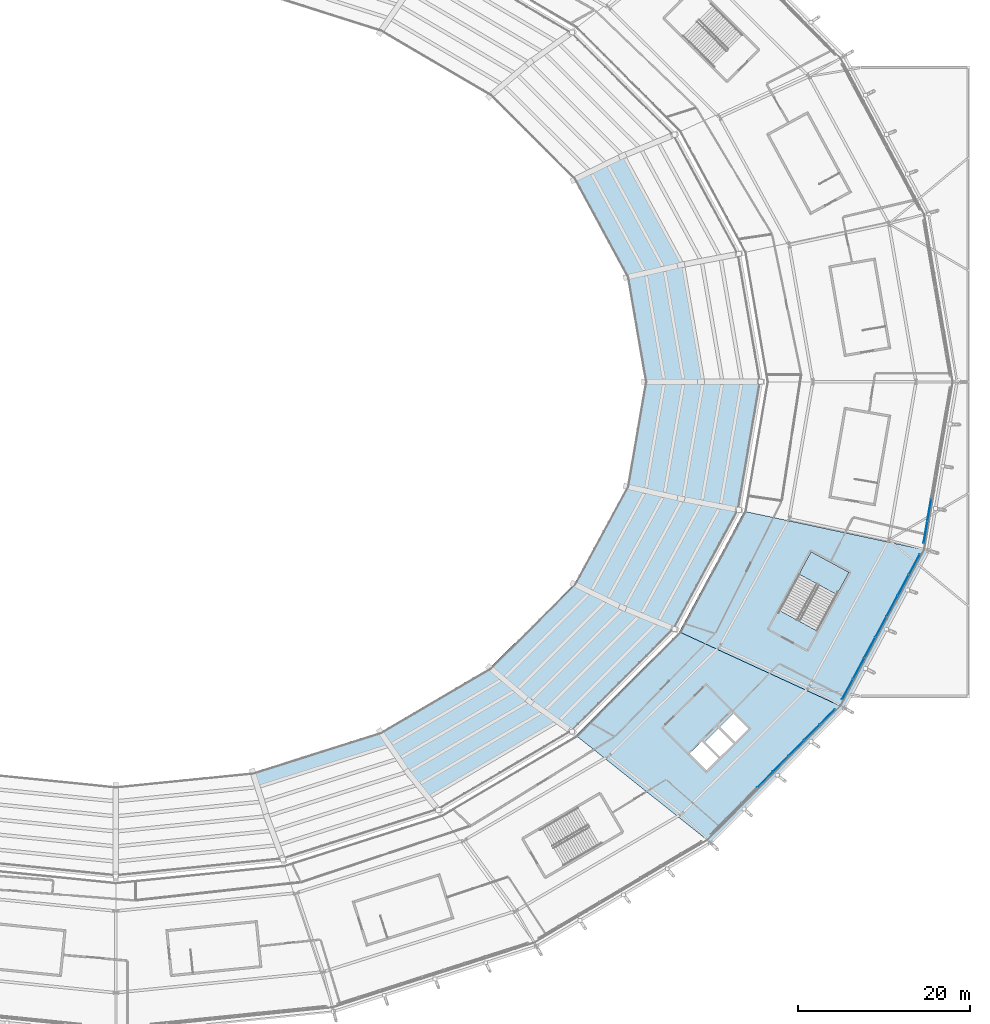
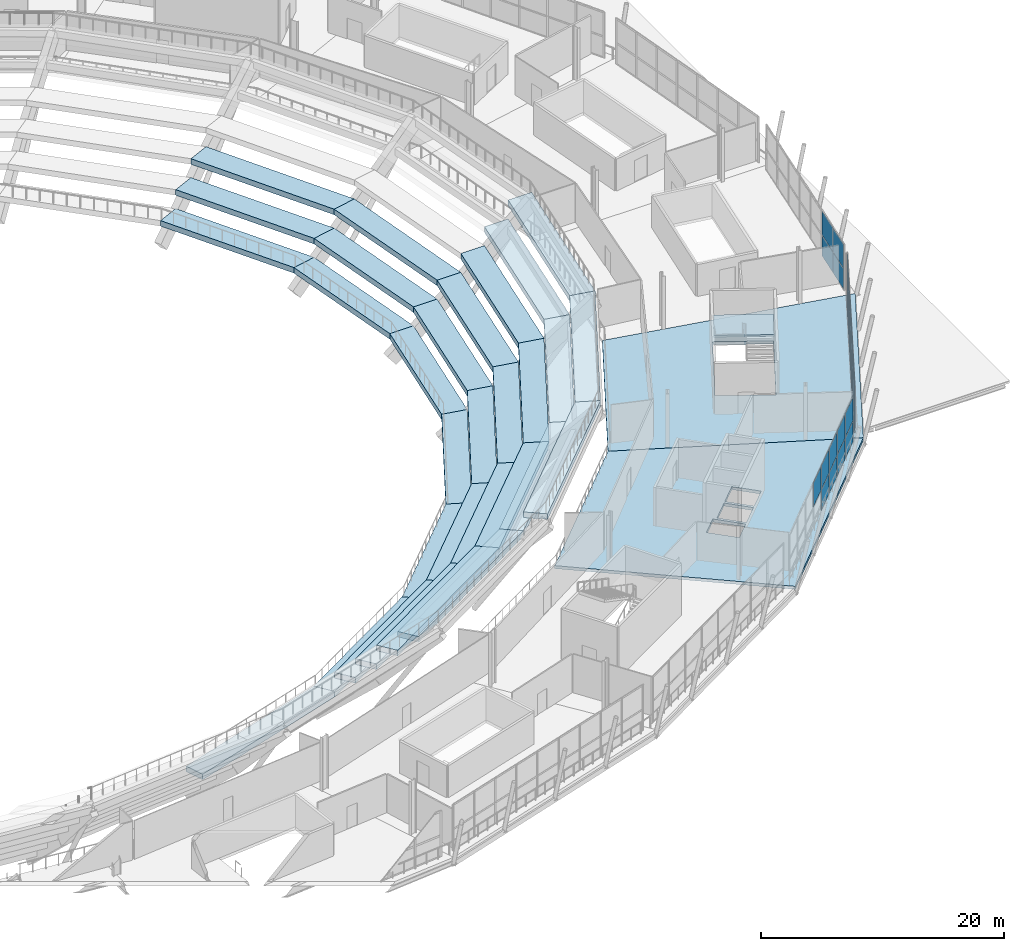
# One storey, part 67 of 126: 33 slabs, 27 plates, 4 elements without a shape of their own.
"""IFC4 building model written with IfcOpenShell, lengths in metres."""

from ifc_helpers import new_model, si_unit, direction, frame, origin, origin_2d, place, context, subcontext, project, spatial, polyline, rectangle, outline, extrude, material, layer, layer_set, type_object, element, aggregate, save


model = new_model("IFC4")

# Units and contexts
model_context = context("Model", 3, precision=1e-05, world=origin(), true_north=direction((0.0, 1.0)))
body_context = subcontext(model_context, "Body", "Model", "MODEL_VIEW")
ifc_project = project(units=[si_unit("LENGTHUNIT", "METRE"), si_unit("AREAUNIT", "SQUARE_METRE"), si_unit("VOLUMEUNIT", "CUBIC_METRE"), si_unit("PLANEANGLEUNIT", "RADIAN"), si_unit("MASSUNIT", "GRAM", prefix="KILO")], contexts=[model_context])

# Site, building, storey
site_placement = place(None, origin())
site = spatial("IfcSite", under=ifc_project, at=site_placement, CompositionType="ELEMENT")
building_placement = place(site_placement, origin())
building = spatial("IfcBuilding", under=site, at=building_placement, Name="Zlatoyarsky Gate Stadium", CompositionType="ELEMENT")
storey_placement = place(building_placement, frame((0.0, 0.0, 20.800048828125)))
storey = spatial("IfcBuildingStorey", under=building, at=storey_placement, Name="L04", CompositionType="ELEMENT", Elevation=20.800048828125)

# Slabs
ifc_material_1 = material(Name="Concrete C40/50", Category="concrete")
ifc_layer_1 = layer(ifc_material_1, 0.300048828125)
ifc_layer_set_1 = layer_set([ifc_layer_1], Name="Concrete C40/50")
slab_type_1 = type_object("IfcSlabType", Name="CONCRETE CONCOURSE SLAB 300", PredefinedType="FLOOR", material=ifc_layer_set_1)
slab_1_placement = place(storey_placement, frame((0.0, 0.0, -0.300048828125)))
element("IfcSlab", 1, at=slab_1_placement, inside=storey, type_object=slab_type_1, Name="L04 bowl sector 21 slab", PredefinedType="FLOOR", context=body_context, shape_type="SweptSolid", body=[
    extrude(outline(polyline([(176.471435546875, 50.949951171875), (195.6708984375, 42.115234375), (180.133544921875, 26.4228515625), (164.457275390625, 38.9169921875), (176.471435546875, 50.949951171875)]), holes=[polyline([(179.643310546875, 34.814208984375), (181.06103515625, 36.224853515625), (179.086181640625, 38.209716796875), (177.668212890625, 36.799072265625), (179.643310546875, 34.814208984375)]), polyline([(181.23828125, 36.401123046875), (182.7978515625, 37.952880859375), (181.034423828125, 39.72509765625), (179.47509765625, 38.17333984375), (181.23828125, 36.401123046875)]), polyline([(182.97509765625, 38.129150390625), (184.53466796875, 39.680908203125), (182.771240234375, 41.452880859375), (181.2119140625, 39.9013671875), (182.97509765625, 38.129150390625)])]), origin(), (0.0, 0.0, 1.0), 0.300048828125),
])
slab_2_placement = place(storey_placement, frame((0.0, 0.0, -0.300048828125)))
element("IfcSlab", 2, at=slab_2_placement, inside=storey, type_object=slab_type_1, Name="L04 bowl sector 22 slab", PredefinedType="FLOOR", context=body_context, shape_type="SweptSolid", body=[
    extrude(outline(polyline([(184.02392578125, 64.962646484375), (205.438232421875, 60.389404296875), (195.6708984375, 42.115234375), (176.471435546875, 50.949951171875), (184.02392578125, 64.962646484375)]), holes=[polyline([(192.5029296875, 51.05419921875), (196.19873046875, 57.8662109375), (191.803955078125, 60.250732421875), (188.108154296875, 53.438720703125), (192.5029296875, 51.05419921875)])]), origin(), (0.0, 0.0, 1.0), 0.300048828125),
])

# Stair, slab
stair_type = type_object("IfcStairType", Name="CONCRETE DOGLEG EXIT STAIR H5400", PredefinedType="TWO_STRAIGHT_RUN_STAIR", material=ifc_material_1)
stair_placement = place(storey_placement, origin())
stair = element("IfcStair", 3, at=stair_placement, inside=storey, type_object=stair_type, Name="L04 Exit Stair ST-12", PredefinedType="TWO_STRAIGHT_RUN_STAIR")
ifc_layer_2 = layer(ifc_material_1, 0.199951171875)
ifc_layer_set_2 = layer_set([ifc_layer_2], Name="Concrete C40/50")
slab_type_2 = type_object("IfcSlabType", Name="CONCRETE STAIR LANDING SLAB 200", PredefinedType="LANDING", material=ifc_layer_set_2)
slab_3_placement = place(storey_placement, frame((0.0, 0.0, 2.5)))
slab_3 = element("IfcSlab", 4, at=slab_3_placement, type_object=slab_type_2, Name="ST-DG54 landing 1", PredefinedType="LANDING", context=body_context, shape_type="SweptSolid", body=[
    extrude(outline(polyline([(194.7919921875, 55.273193359375), (196.19873046875, 57.8662109375), (191.803955078125, 60.250732421875), (190.397216796875, 57.65771484375), (194.7919921875, 55.273193359375)])), origin(), (0.0, 0.0, 1.0), 0.199951171875),
])
aggregate(stair, [slab_3])

# Slabs
ifc_material_2 = material(Name="Precast concrete C40/50", Category="concrete")
ifc_layer_3 = layer(ifc_material_2, 0.56005859375)
ifc_layer_set_3 = layer_set([ifc_layer_3], Name="Precast concrete C40/50")
slab_type_3 = type_object("IfcSlabType", Name="PRECAST UPPER SEATING TIER UNIT 560", PredefinedType="USERDEFINED", material=ifc_layer_set_3)
slab_4_placement = place(storey_placement, frame((0.0, 0.0, -4.9599609375)))
element("IfcSlab", 5, at=slab_4_placement, inside=storey, type_object=slab_type_3, Name="Upper seating tier sector 00 row 1", ObjectType="SEATING TIER", PredefinedType="USERDEFINED", context=body_context, shape_type="SweptSolid", body=[
    extrude(outline(polyline([(172.5, 80.0), (174.75, 80.0), (172.577880859375, 92.617431640625), (170.404296875, 92.16455078125), (172.5, 80.0)])), origin(), (0.0, 0.0, 1.0), 0.559814453125),
])
slab_5_placement = place(storey_placement, frame((0.0, 0.0, -3.06005859375)))
element("IfcSlab", 6, at=slab_5_placement, inside=storey, type_object=slab_type_3, Name="Upper seating tier sector 00 row 2", ObjectType="SEATING TIER", PredefinedType="USERDEFINED", context=body_context, shape_type="SweptSolid", body=[
    extrude(outline(polyline([(174.75, 80.0), (177.0, 80.0), (174.751220703125, 93.0703125), (172.577880859375, 92.617431640625), (174.75, 80.0)])), origin(), (0.0, 0.0, 1.0), 0.56005859375),
])
slab_6_placement = place(storey_placement, frame((0.0, 0.0, -1.16015625)))
element("IfcSlab", 7, at=slab_6_placement, inside=storey, type_object=slab_type_3, Name="Upper seating tier sector 00 row 3", ObjectType="SEATING TIER", PredefinedType="USERDEFINED", context=body_context, shape_type="SweptSolid", body=[
    extrude(outline(polyline([(177.0, 80.0), (179.25, 80.0), (176.92431640625, 93.523193359375), (174.751220703125, 93.0703125), (177.0, 80.0)])), origin(), (0.0, 0.0, 1.0), 0.56005859375),
])
slab_7_placement = place(storey_placement, frame((0.0, 0.0, -4.9599609375)))
element("IfcSlab", 8, at=slab_7_placement, inside=storey, type_object=slab_type_3, Name="Upper seating tier sector 01 row 1", ObjectType="SEATING TIER", PredefinedType="USERDEFINED", context=body_context, shape_type="SweptSolid", body=[
    extrude(outline(polyline([(170.404296875, 92.16455078125), (172.577880859375, 92.617431640625), (166.208984375, 104.375), (164.260498046875, 103.5), (170.404296875, 92.16455078125)])), origin(), (0.0, 0.0, 1.0), 0.559814453125),
])
slab_8_placement = place(storey_placement, frame((0.0, 0.0, -3.06005859375)))
element("IfcSlab", 9, at=slab_8_placement, inside=storey, type_object=slab_type_3, Name="Upper seating tier sector 01 row 2", ObjectType="SEATING TIER", PredefinedType="USERDEFINED", context=body_context, shape_type="SweptSolid", body=[
    extrude(outline(polyline([(172.577880859375, 92.617431640625), (174.751220703125, 93.0703125), (168.15771484375, 105.25), (166.208984375, 104.375), (172.577880859375, 92.617431640625)])), origin(), (0.0, 0.0, 1.0), 0.56005859375),
])
slab_9_placement = place(storey_placement, frame((0.0, 0.0, -1.16015625)))
element("IfcSlab", 10, at=slab_9_placement, inside=storey, type_object=slab_type_3, Name="Upper seating tier sector 01 row 3", ObjectType="SEATING TIER", PredefinedType="USERDEFINED", context=body_context, shape_type="SweptSolid", body=[
    extrude(outline(polyline([(174.751220703125, 93.0703125), (176.92431640625, 93.523193359375), (170.106201171875, 106.125), (168.15771484375, 105.25), (174.751220703125, 93.0703125)])), origin(), (0.0, 0.0, 1.0), 0.56005859375),
])
slab_10_placement = place(storey_placement, frame((0.0, 0.0, -4.9599609375)))
element("IfcSlab", 11, at=slab_10_placement, inside=storey, type_object=slab_type_3, Name="Upper seating tier sector 19 row 1", ObjectType="SEATING TIER", PredefinedType="USERDEFINED", context=body_context, shape_type="SweptSolid", body=[
    extrude(outline(polyline([(126.91748046875, 34.6015625), (127.499755859375, 32.9111328125), (142.875, 37.78125), (141.75, 39.296875), (126.91748046875, 34.6015625)])), origin(), (0.0, 0.0, 1.0), 0.559814453125),
])
slab_11_placement = place(storey_placement, frame((0.0, 0.0, -4.9599609375)))
element("IfcSlab", 12, at=slab_11_placement, inside=storey, type_object=slab_type_3, Name="Upper seating tier sector 20 row 1", ObjectType="SEATING TIER", PredefinedType="USERDEFINED", context=body_context, shape_type="SweptSolid", body=[
    extrude(outline(polyline([(141.75, 39.296875), (142.875, 37.78125), (156.078125, 45.528564453125), (154.487060546875, 46.76611328125), (141.75, 39.296875)])), origin(), (0.0, 0.0, 1.0), 0.559814453125),
])
slab_12_placement = place(storey_placement, frame((0.0, 0.0, -3.06005859375)))
element("IfcSlab", 13, at=slab_12_placement, inside=storey, type_object=slab_type_3, Name="Upper seating tier sector 20 row 2", ObjectType="SEATING TIER", PredefinedType="USERDEFINED", context=body_context, shape_type="SweptSolid", body=[
    extrude(outline(polyline([(142.875, 37.78125), (144.0, 36.265625), (157.6689453125, 44.291015625), (156.078125, 45.528564453125), (142.875, 37.78125)])), origin(), (0.0, 0.0, 1.0), 0.56005859375),
])
slab_13_placement = place(storey_placement, frame((0.0, 0.0, -1.16015625)))
element("IfcSlab", 14, at=slab_13_placement, inside=storey, type_object=slab_type_3, Name="Upper seating tier sector 20 row 3", ObjectType="SEATING TIER", PredefinedType="USERDEFINED", context=body_context, shape_type="SweptSolid", body=[
    extrude(outline(polyline([(144.0, 36.265625), (145.125, 34.750244140625), (159.260009765625, 43.0537109375), (157.6689453125, 44.291015625), (144.0, 36.265625)])), origin(), (0.0, 0.0, 1.0), 0.56005859375),
])
slab_14_placement = place(storey_placement, frame((0.0, 0.0, 0.739990234375)))
element("IfcSlab", 15, at=slab_14_placement, inside=storey, type_object=slab_type_3, Name="Upper seating tier sector 20 row 4", ObjectType="SEATING TIER", PredefinedType="USERDEFINED", context=body_context, shape_type="SweptSolid", body=[
    extrude(outline(polyline([(145.125, 34.750244140625), (146.25, 33.234619140625), (160.85107421875, 41.816162109375), (159.260009765625, 43.0537109375), (145.125, 34.750244140625)])), origin(), (0.0, 0.0, 1.0), 0.56005859375),
])
slab_15_placement = place(storey_placement, frame((0.0, 0.0, 2.639892578125)))
element("IfcSlab", 16, at=slab_15_placement, inside=storey, type_object=slab_type_3, Name="Upper seating tier sector 20 row 5", ObjectType="SEATING TIER", PredefinedType="USERDEFINED", context=body_context, shape_type="SweptSolid", body=[
    extrude(outline(polyline([(146.25, 33.234619140625), (147.375, 31.718994140625), (162.44189453125, 40.578857421875), (160.85107421875, 41.816162109375), (146.25, 33.234619140625)])), origin(), (0.0, 0.0, 1.0), 0.56005859375),
])
slab_16_placement = place(storey_placement, frame((0.0, 0.0, -4.9599609375)))
element("IfcSlab", 17, at=slab_16_placement, inside=storey, type_object=slab_type_3, Name="Upper seating tier sector 21 row 1", ObjectType="SEATING TIER", PredefinedType="USERDEFINED", context=body_context, shape_type="SweptSolid", body=[
    extrude(outline(polyline([(154.487060546875, 46.76611328125), (156.078125, 45.528564453125), (166.208984375, 55.625), (164.260498046875, 56.5), (154.487060546875, 46.76611328125)])), origin(), (0.0, 0.0, 1.0), 0.559814453125),
])
slab_17_placement = place(storey_placement, frame((0.0, 0.0, -3.06005859375)))
element("IfcSlab", 18, at=slab_17_placement, inside=storey, type_object=slab_type_3, Name="Upper seating tier sector 21 row 2", ObjectType="SEATING TIER", PredefinedType="USERDEFINED", context=body_context, shape_type="SweptSolid", body=[
    extrude(outline(polyline([(156.078125, 45.528564453125), (157.6689453125, 44.291015625), (168.15771484375, 54.75), (166.208984375, 55.625), (156.078125, 45.528564453125)])), origin(), (0.0, 0.0, 1.0), 0.56005859375),
])
slab_18_placement = place(storey_placement, frame((0.0, 0.0, -1.16015625)))
element("IfcSlab", 19, at=slab_18_placement, inside=storey, type_object=slab_type_3, Name="Upper seating tier sector 21 row 3", ObjectType="SEATING TIER", PredefinedType="USERDEFINED", context=body_context, shape_type="SweptSolid", body=[
    extrude(outline(polyline([(157.6689453125, 44.291015625), (159.260009765625, 43.0537109375), (170.106201171875, 53.875), (168.15771484375, 54.75), (157.6689453125, 44.291015625)])), origin(), (0.0, 0.0, 1.0), 0.56005859375),
])
slab_19_placement = place(storey_placement, frame((0.0, 0.0, 0.739990234375)))
element("IfcSlab", 20, at=slab_19_placement, inside=storey, type_object=slab_type_3, Name="Upper seating tier sector 21 row 4", ObjectType="SEATING TIER", PredefinedType="USERDEFINED", context=body_context, shape_type="SweptSolid", body=[
    extrude(outline(polyline([(159.260009765625, 43.0537109375), (160.85107421875, 41.816162109375), (172.0546875, 53.0), (170.106201171875, 53.875), (159.260009765625, 43.0537109375)])), origin(), (0.0, 0.0, 1.0), 0.56005859375),
])
slab_20_placement = place(storey_placement, frame((0.0, 0.0, 2.639892578125)))
element("IfcSlab", 21, at=slab_20_placement, inside=storey, type_object=slab_type_3, Name="Upper seating tier sector 21 row 5", ObjectType="SEATING TIER", PredefinedType="USERDEFINED", context=body_context, shape_type="SweptSolid", body=[
    extrude(outline(polyline([(160.85107421875, 41.816162109375), (162.44189453125, 40.578857421875), (174.00341796875, 52.125), (172.0546875, 53.0), (160.85107421875, 41.816162109375)])), origin(), (0.0, 0.0, 1.0), 0.56005859375),
])
slab_21_placement = place(storey_placement, frame((0.0, 0.0, 4.5400390625)))
element("IfcSlab", 22, at=slab_21_placement, inside=storey, type_object=slab_type_3, Name="Upper seating tier sector 21 row 6", ObjectType="SEATING TIER", PredefinedType="USERDEFINED", context=body_context, shape_type="SweptSolid", body=[
    extrude(outline(polyline([(162.44189453125, 40.578857421875), (164.032958984375, 39.34130859375), (175.951904296875, 51.25), (174.00341796875, 52.125), (162.44189453125, 40.578857421875)])), origin(), (0.0, 0.0, 1.0), 0.559814453125),
])
slab_22_placement = place(storey_placement, frame((0.0, 0.0, -4.9599609375)))
element("IfcSlab", 23, at=slab_22_placement, inside=storey, type_object=slab_type_3, Name="Upper seating tier sector 22 row 1", ObjectType="SEATING TIER", PredefinedType="USERDEFINED", context=body_context, shape_type="SweptSolid", body=[
    extrude(outline(polyline([(164.260498046875, 56.5), (166.208984375, 55.625), (172.577880859375, 67.382568359375), (170.404296875, 67.83544921875), (164.260498046875, 56.5)])), origin(), (0.0, 0.0, 1.0), 0.559814453125),
])
slab_23_placement = place(storey_placement, frame((0.0, 0.0, -3.06005859375)))
element("IfcSlab", 24, at=slab_23_placement, inside=storey, type_object=slab_type_3, Name="Upper seating tier sector 22 row 2", ObjectType="SEATING TIER", PredefinedType="USERDEFINED", context=body_context, shape_type="SweptSolid", body=[
    extrude(outline(polyline([(166.208984375, 55.625), (168.15771484375, 54.75), (174.751220703125, 66.9296875), (172.577880859375, 67.382568359375), (166.208984375, 55.625)])), origin(), (0.0, 0.0, 1.0), 0.56005859375),
])
slab_24_placement = place(storey_placement, frame((0.0, 0.0, -1.16015625)))
element("IfcSlab", 25, at=slab_24_placement, inside=storey, type_object=slab_type_3, Name="Upper seating tier sector 22 row 3", ObjectType="SEATING TIER", PredefinedType="USERDEFINED", context=body_context, shape_type="SweptSolid", body=[
    extrude(outline(polyline([(168.15771484375, 54.75), (170.106201171875, 53.875), (176.92431640625, 66.476806640625), (174.751220703125, 66.9296875), (168.15771484375, 54.75)])), origin(), (0.0, 0.0, 1.0), 0.56005859375),
])
slab_25_placement = place(storey_placement, frame((0.0, 0.0, 0.739990234375)))
element("IfcSlab", 26, at=slab_25_placement, inside=storey, type_object=slab_type_3, Name="Upper seating tier sector 22 row 4", ObjectType="SEATING TIER", PredefinedType="USERDEFINED", context=body_context, shape_type="SweptSolid", body=[
    extrude(outline(polyline([(170.106201171875, 53.875), (172.0546875, 53.0), (179.097900390625, 66.023681640625), (176.92431640625, 66.476806640625), (170.106201171875, 53.875)])), origin(), (0.0, 0.0, 1.0), 0.56005859375),
])
slab_26_placement = place(storey_placement, frame((0.0, 0.0, 2.639892578125)))
element("IfcSlab", 27, at=slab_26_placement, inside=storey, type_object=slab_type_3, Name="Upper seating tier sector 22 row 5", ObjectType="SEATING TIER", PredefinedType="USERDEFINED", context=body_context, shape_type="SweptSolid", body=[
    extrude(outline(polyline([(172.0546875, 53.0), (174.00341796875, 52.125), (181.27099609375, 65.57080078125), (179.097900390625, 66.023681640625), (172.0546875, 53.0)])), origin(), (0.0, 0.0, 1.0), 0.56005859375),
])
slab_27_placement = place(storey_placement, frame((0.0, 0.0, 4.5400390625)))
element("IfcSlab", 28, at=slab_27_placement, inside=storey, type_object=slab_type_3, Name="Upper seating tier sector 22 row 6", ObjectType="SEATING TIER", PredefinedType="USERDEFINED", context=body_context, shape_type="SweptSolid", body=[
    extrude(outline(polyline([(174.00341796875, 52.125), (175.951904296875, 51.25), (183.4443359375, 65.117919921875), (181.27099609375, 65.57080078125), (174.00341796875, 52.125)])), origin(), (0.0, 0.0, 1.0), 0.559814453125),
])
slab_28_placement = place(storey_placement, frame((0.0, 0.0, -4.9599609375)))
element("IfcSlab", 29, at=slab_28_placement, inside=storey, type_object=slab_type_3, Name="Upper seating tier sector 23 row 1", ObjectType="SEATING TIER", PredefinedType="USERDEFINED", context=body_context, shape_type="SweptSolid", body=[
    extrude(outline(polyline([(170.404296875, 67.83544921875), (172.577880859375, 67.382568359375), (174.75, 80.0), (172.5, 80.0), (170.404296875, 67.83544921875)])), origin(), (0.0, 0.0, 1.0), 0.559814453125),
])
slab_29_placement = place(storey_placement, frame((0.0, 0.0, -3.06005859375)))
element("IfcSlab", 30, at=slab_29_placement, inside=storey, type_object=slab_type_3, Name="Upper seating tier sector 23 row 2", ObjectType="SEATING TIER", PredefinedType="USERDEFINED", context=body_context, shape_type="SweptSolid", body=[
    extrude(outline(polyline([(172.577880859375, 67.382568359375), (174.751220703125, 66.9296875), (177.0, 80.0), (174.75, 80.0), (172.577880859375, 67.382568359375)])), origin(), (0.0, 0.0, 1.0), 0.56005859375),
])
slab_30_placement = place(storey_placement, frame((0.0, 0.0, -1.16015625)))
element("IfcSlab", 31, at=slab_30_placement, inside=storey, type_object=slab_type_3, Name="Upper seating tier sector 23 row 3", ObjectType="SEATING TIER", PredefinedType="USERDEFINED", context=body_context, shape_type="SweptSolid", body=[
    extrude(outline(polyline([(174.751220703125, 66.9296875), (176.92431640625, 66.476806640625), (179.25, 80.0), (177.0, 80.0), (174.751220703125, 66.9296875)])), origin(), (0.0, 0.0, 1.0), 0.56005859375),
])
slab_31_placement = place(storey_placement, frame((0.0, 0.0, 0.739990234375)))
element("IfcSlab", 32, at=slab_31_placement, inside=storey, type_object=slab_type_3, Name="Upper seating tier sector 23 row 4", ObjectType="SEATING TIER", PredefinedType="USERDEFINED", context=body_context, shape_type="SweptSolid", body=[
    extrude(outline(polyline([(176.92431640625, 66.476806640625), (179.097900390625, 66.023681640625), (181.5, 80.0), (179.25, 80.0), (176.92431640625, 66.476806640625)])), origin(), (0.0, 0.0, 1.0), 0.56005859375),
])
slab_32_placement = place(storey_placement, frame((0.0, 0.0, 2.639892578125)))
element("IfcSlab", 33, at=slab_32_placement, inside=storey, type_object=slab_type_3, Name="Upper seating tier sector 23 row 5", ObjectType="SEATING TIER", PredefinedType="USERDEFINED", context=body_context, shape_type="SweptSolid", body=[
    extrude(outline(polyline([(179.097900390625, 66.023681640625), (181.27099609375, 65.57080078125), (183.75, 80.0), (181.5, 80.0), (179.097900390625, 66.023681640625)])), origin(), (0.0, 0.0, 1.0), 0.56005859375),
])
slab_33_placement = place(storey_placement, frame((0.0, 0.0, 4.5400390625)))
element("IfcSlab", 34, at=slab_33_placement, inside=storey, type_object=slab_type_3, Name="Upper seating tier sector 23 row 6", ObjectType="SEATING TIER", PredefinedType="USERDEFINED", context=body_context, shape_type="SweptSolid", body=[
    extrude(outline(polyline([(181.27099609375, 65.57080078125), (183.4443359375, 65.117919921875), (186.0, 80.0), (183.75, 80.0), (181.27099609375, 65.57080078125)])), origin(), (0.0, 0.0, 1.0), 0.559814453125),
])

# Curtain wall, plates
ifc_material_3 = material(Name="Thermally broken anodised aluminium curtain wall", Category="aluminium")
curtain_wall_type = type_object("IfcCurtainWallType", Name="UNITISED MEDIA RING GLAZING L04", PredefinedType="USERDEFINED", material=ifc_material_3)
curtain_wall_1_placement = place(storey_placement, origin())
curtain_wall_1 = element("IfcCurtainWall", 35, at=curtain_wall_1_placement, inside=storey, type_object=curtain_wall_type, Name="Curtain wall CW-L04-21", ObjectType="UNITISED GLAZING", PredefinedType="USERDEFINED")
ifc_material_4 = material(Name="Triple-glazed argon low-e architectural glass", Category="glass")
ifc_layer_4 = layer(ifc_material_4, 0.0380859375)
ifc_layer_set_4 = layer_set([ifc_layer_4], Name="Triple-glazed argon low-e architectural glass")
plate_type = type_object("IfcPlateType", Name="TRIPLE GLAZED LOW E CURTAIN PANEL 38", PredefinedType="CURTAIN_PANEL", material=ifc_layer_set_4)
plate_1_placement = place(storey_placement, frame((186.44482421875, 33.77734375, 2.182373046875), z_axis=(0.0, 0.0, 1.0), x_axis=(0.704332181269, 0.709870536386, 0.0)))
plate_1 = element("IfcPlate", 36, at=plate_1_placement, type_object=plate_type, Name="CW-UG4 panel 4.2", PredefinedType="CURTAIN_PANEL", context=body_context, shape_type="SweptSolid", body=[
    extrude(rectangle(XDim=2.51025390625, YDim=0.0380859375, at=origin_2d()), origin(), (0.0, 0.0, 1.0), 2.37255859375),
])
plate_2_placement = place(storey_placement, frame((188.258544921875, 35.60546875, 0.06494140625), z_axis=(0.0, 0.0, 1.0), x_axis=(0.704332181269, 0.709870536386, 0.0)))
plate_2 = element("IfcPlate", 37, at=plate_2_placement, type_object=plate_type, Name="CW-UG4 panel 5.1", PredefinedType="CURTAIN_PANEL", context=body_context, shape_type="SweptSolid", body=[
    extrude(rectangle(XDim=2.51025390625, YDim=0.0380859375, at=origin_2d()), origin(), (0.0, 0.0, 1.0), 2.052490234375),
])
plate_3_placement = place(storey_placement, frame((188.258544921875, 35.60546875, 2.182373046875), z_axis=(0.0, 0.0, 1.0), x_axis=(0.704332181269, 0.709870536386, 0.0)))
plate_3 = element("IfcPlate", 38, at=plate_3_placement, type_object=plate_type, Name="CW-UG4 panel 5.2", PredefinedType="CURTAIN_PANEL", context=body_context, shape_type="SweptSolid", body=[
    extrude(rectangle(XDim=2.51025390625, YDim=0.0380859375, at=origin_2d()), origin(), (0.0, 0.0, 1.0), 2.37255859375),
])
plate_4_placement = place(storey_placement, frame((190.072265625, 37.43359375, 0.06494140625), z_axis=(0.0, 0.0, 1.0), x_axis=(0.704332181269, 0.709870536386, 0.0)))
plate_4 = element("IfcPlate", 39, at=plate_4_placement, type_object=plate_type, Name="CW-UG4 panel 6.1", PredefinedType="CURTAIN_PANEL", context=body_context, shape_type="SweptSolid", body=[
    extrude(rectangle(XDim=2.51025390625, YDim=0.0380859375, at=origin_2d()), origin(), (0.0, 0.0, 1.0), 2.052490234375),
])
plate_5_placement = place(storey_placement, frame((190.072265625, 37.43359375, 2.182373046875), z_axis=(0.0, 0.0, 1.0), x_axis=(0.704332181269, 0.709870536386, 0.0)))
plate_5 = element("IfcPlate", 40, at=plate_5_placement, type_object=plate_type, Name="CW-UG4 panel 6.2", PredefinedType="CURTAIN_PANEL", context=body_context, shape_type="SweptSolid", body=[
    extrude(rectangle(XDim=2.51025390625, YDim=0.0380859375, at=origin_2d()), origin(), (0.0, 0.0, 1.0), 2.37255859375),
])
plate_6_placement = place(storey_placement, frame((191.88623046875, 39.26171875, 0.06494140625), z_axis=(0.0, 0.0, 1.0), x_axis=(0.704332181269, 0.709870536386, 0.0)))
plate_6 = element("IfcPlate", 41, at=plate_6_placement, type_object=plate_type, Name="CW-UG4 panel 7.1", PredefinedType="CURTAIN_PANEL", context=body_context, shape_type="SweptSolid", body=[
    extrude(rectangle(XDim=2.51025390625, YDim=0.0380859375, at=origin_2d()), origin(), (0.0, 0.0, 1.0), 2.052490234375),
])
plate_7_placement = place(storey_placement, frame((191.88623046875, 39.26171875, 2.182373046875), z_axis=(0.0, 0.0, 1.0), x_axis=(0.704332181269, 0.709870536386, 0.0)))
plate_7 = element("IfcPlate", 42, at=plate_7_placement, type_object=plate_type, Name="CW-UG4 panel 7.2", PredefinedType="CURTAIN_PANEL", context=body_context, shape_type="SweptSolid", body=[
    extrude(rectangle(XDim=2.51025390625, YDim=0.0380859375, at=origin_2d()), origin(), (0.0, 0.0, 1.0), 2.37255859375),
])
plate_8_placement = place(storey_placement, frame((193.6884765625, 41.078125, 0.06494140625), z_axis=(0.0, 0.0, 1.0), x_axis=(0.704332181269, 0.709870536386, 0.0)))
plate_8 = element("IfcPlate", 43, at=plate_8_placement, type_object=plate_type, Name="CW-UG4 panel 8.1", PredefinedType="CURTAIN_PANEL", context=body_context, shape_type="SweptSolid", body=[
    extrude(rectangle(XDim=2.477783203125, YDim=0.0380859375, at=origin_2d()), origin(), (0.0, 0.0, 1.0), 2.052490234375),
])
plate_9_placement = place(storey_placement, frame((193.6884765625, 41.078125, 2.182373046875), z_axis=(0.0, 0.0, 1.0), x_axis=(0.704332181269, 0.709870536386, 0.0)))
plate_9 = element("IfcPlate", 44, at=plate_9_placement, type_object=plate_type, Name="CW-UG4 panel 8.2", PredefinedType="CURTAIN_PANEL", context=body_context, shape_type="SweptSolid", body=[
    extrude(rectangle(XDim=2.477783203125, YDim=0.0380859375, at=origin_2d()), origin(), (0.0, 0.0, 1.0), 2.37255859375),
])
aggregate(curtain_wall_1, [plate_1, plate_2, plate_3, plate_4, plate_5, plate_6, plate_7, plate_8, plate_9])

curtain_wall_2_placement = place(storey_placement, origin())
curtain_wall_2 = element("IfcCurtainWall", 45, at=curtain_wall_2_placement, inside=storey, type_object=curtain_wall_type, Name="Curtain wall CW-L04-22", ObjectType="UNITISED GLAZING", PredefinedType="USERDEFINED")
plate_10_placement = place(storey_placement, frame((196.028076171875, 44.263916015625, 0.06494140625), z_axis=(0.0, 0.0, 1.0), x_axis=(0.472144962966, 0.881520920878, 0.0)))
plate_10 = element("IfcPlate", 46, at=plate_10_placement, type_object=plate_type, Name="CW-UG4 panel 1.1", PredefinedType="CURTAIN_PANEL", context=body_context, shape_type="SweptSolid", body=[
    extrude(rectangle(XDim=2.65087890625, YDim=0.0380859375, at=origin_2d()), origin(), (0.0, 0.0, 1.0), 2.052490234375),
])
plate_11_placement = place(storey_placement, frame((196.028076171875, 44.263916015625, 2.182373046875), z_axis=(0.0, 0.0, 1.0), x_axis=(0.472144962966, 0.881520920878, 0.0)))
plate_11 = element("IfcPlate", 47, at=plate_11_placement, type_object=plate_type, Name="CW-UG4 panel 1.2", PredefinedType="CURTAIN_PANEL", context=body_context, shape_type="SweptSolid", body=[
    extrude(rectangle(XDim=2.65087890625, YDim=0.0380859375, at=origin_2d()), origin(), (0.0, 0.0, 1.0), 2.37255859375),
])
plate_12_placement = place(storey_placement, frame((197.318115234375, 46.67236328125, 0.06494140625), z_axis=(0.0, 0.0, 1.0), x_axis=(0.472144962966, 0.881520920878, 0.0)))
plate_12 = element("IfcPlate", 48, at=plate_12_placement, type_object=plate_type, Name="CW-UG4 panel 2.1", PredefinedType="CURTAIN_PANEL", context=body_context, shape_type="SweptSolid", body=[
    extrude(rectangle(XDim=2.683349609375, YDim=0.0380859375, at=origin_2d()), origin(), (0.0, 0.0, 1.0), 2.052490234375),
])
plate_13_placement = place(storey_placement, frame((197.318115234375, 46.67236328125, 2.182373046875), z_axis=(0.0, 0.0, 1.0), x_axis=(0.472144962966, 0.881520920878, 0.0)))
plate_13 = element("IfcPlate", 49, at=plate_13_placement, type_object=plate_type, Name="CW-UG4 panel 2.2", PredefinedType="CURTAIN_PANEL", context=body_context, shape_type="SweptSolid", body=[
    extrude(rectangle(XDim=2.683349609375, YDim=0.0380859375, at=origin_2d()), origin(), (0.0, 0.0, 1.0), 2.37255859375),
])
plate_14_placement = place(storey_placement, frame((198.61572265625, 49.09521484375, 0.06494140625), z_axis=(0.0, 0.0, 1.0), x_axis=(0.472144962966, 0.881520920878, 0.0)))
plate_14 = element("IfcPlate", 50, at=plate_14_placement, type_object=plate_type, Name="CW-UG4 panel 3.1", PredefinedType="CURTAIN_PANEL", context=body_context, shape_type="SweptSolid", body=[
    extrude(rectangle(XDim=2.683349609375, YDim=0.0380859375, at=origin_2d()), origin(), (0.0, 0.0, 1.0), 2.052490234375),
])
plate_15_placement = place(storey_placement, frame((198.61572265625, 49.09521484375, 2.182373046875), z_axis=(0.0, 0.0, 1.0), x_axis=(0.472144962966, 0.881520920878, 0.0)))
plate_15 = element("IfcPlate", 51, at=plate_15_placement, type_object=plate_type, Name="CW-UG4 panel 3.2", PredefinedType="CURTAIN_PANEL", context=body_context, shape_type="SweptSolid", body=[
    extrude(rectangle(XDim=2.683349609375, YDim=0.0380859375, at=origin_2d()), origin(), (0.0, 0.0, 1.0), 2.37255859375),
])
plate_16_placement = place(storey_placement, frame((199.913330078125, 51.517822265625, 0.06494140625), z_axis=(0.0, 0.0, 1.0), x_axis=(0.472144962966, 0.881520920878, 0.0)))
plate_16 = element("IfcPlate", 52, at=plate_16_placement, type_object=plate_type, Name="CW-UG4 panel 4.1", PredefinedType="CURTAIN_PANEL", context=body_context, shape_type="SweptSolid", body=[
    extrude(rectangle(XDim=2.683349609375, YDim=0.0380859375, at=origin_2d()), origin(), (0.0, 0.0, 1.0), 2.052490234375),
])
plate_17_placement = place(storey_placement, frame((199.913330078125, 51.517822265625, 2.182373046875), z_axis=(0.0, 0.0, 1.0), x_axis=(0.472144962966, 0.881520920878, 0.0)))
plate_17 = element("IfcPlate", 53, at=plate_17_placement, type_object=plate_type, Name="CW-UG4 panel 4.2", PredefinedType="CURTAIN_PANEL", context=body_context, shape_type="SweptSolid", body=[
    extrude(rectangle(XDim=2.683349609375, YDim=0.0380859375, at=origin_2d()), origin(), (0.0, 0.0, 1.0), 2.37255859375),
])
plate_18_placement = place(storey_placement, frame((201.2109375, 53.940673828125, 0.06494140625), z_axis=(0.0, 0.0, 1.0), x_axis=(0.472144962966, 0.881520920878, 0.0)))
plate_18 = element("IfcPlate", 54, at=plate_18_placement, type_object=plate_type, Name="CW-UG4 panel 5.1", PredefinedType="CURTAIN_PANEL", context=body_context, shape_type="SweptSolid", body=[
    extrude(rectangle(XDim=2.683349609375, YDim=0.0380859375, at=origin_2d()), origin(), (0.0, 0.0, 1.0), 2.052490234375),
])
plate_19_placement = place(storey_placement, frame((201.2109375, 53.940673828125, 2.182373046875), z_axis=(0.0, 0.0, 1.0), x_axis=(0.472144962966, 0.881520920878, 0.0)))
plate_19 = element("IfcPlate", 55, at=plate_19_placement, type_object=plate_type, Name="CW-UG4 panel 5.2", PredefinedType="CURTAIN_PANEL", context=body_context, shape_type="SweptSolid", body=[
    extrude(rectangle(XDim=2.683349609375, YDim=0.0380859375, at=origin_2d()), origin(), (0.0, 0.0, 1.0), 2.37255859375),
])
plate_20_placement = place(storey_placement, frame((202.508544921875, 56.363525390625, 0.06494140625), z_axis=(0.0, 0.0, 1.0), x_axis=(0.472144962966, 0.881520920878, 0.0)))
plate_20 = element("IfcPlate", 56, at=plate_20_placement, type_object=plate_type, Name="CW-UG4 panel 6.1", PredefinedType="CURTAIN_PANEL", context=body_context, shape_type="SweptSolid", body=[
    extrude(rectangle(XDim=2.683349609375, YDim=0.0380859375, at=origin_2d()), origin(), (0.0, 0.0, 1.0), 2.052490234375),
])
plate_21_placement = place(storey_placement, frame((202.508544921875, 56.363525390625, 2.182373046875), z_axis=(0.0, 0.0, 1.0), x_axis=(0.472144962966, 0.881520920878, 0.0)))
plate_21 = element("IfcPlate", 57, at=plate_21_placement, type_object=plate_type, Name="CW-UG4 panel 6.2", PredefinedType="CURTAIN_PANEL", context=body_context, shape_type="SweptSolid", body=[
    extrude(rectangle(XDim=2.683349609375, YDim=0.0380859375, at=origin_2d()), origin(), (0.0, 0.0, 1.0), 2.37255859375),
])
plate_22_placement = place(storey_placement, frame((203.798583984375, 58.77197265625, 0.06494140625), z_axis=(0.0, 0.0, 1.0), x_axis=(0.472144962966, 0.881520920878, 0.0)))
plate_22 = element("IfcPlate", 58, at=plate_22_placement, type_object=plate_type, Name="CW-UG4 panel 7.1", PredefinedType="CURTAIN_PANEL", context=body_context, shape_type="SweptSolid", body=[
    extrude(rectangle(XDim=2.65087890625, YDim=0.0380859375, at=origin_2d()), origin(), (0.0, 0.0, 1.0), 2.052490234375),
])
plate_23_placement = place(storey_placement, frame((203.798583984375, 58.77197265625, 2.182373046875), z_axis=(0.0, 0.0, 1.0), x_axis=(0.472144962966, 0.881520920878, 0.0)))
plate_23 = element("IfcPlate", 59, at=plate_23_placement, type_object=plate_type, Name="CW-UG4 panel 7.2", PredefinedType="CURTAIN_PANEL", context=body_context, shape_type="SweptSolid", body=[
    extrude(rectangle(XDim=2.65087890625, YDim=0.0380859375, at=origin_2d()), origin(), (0.0, 0.0, 1.0), 2.37255859375),
])
aggregate(curtain_wall_2, [plate_10, plate_11, plate_12, plate_13, plate_14, plate_15, plate_16, plate_17, plate_18, plate_19, plate_20, plate_21, plate_22, plate_23])

curtain_wall_3_placement = place(storey_placement, origin())
curtain_wall_3 = element("IfcCurtainWall", 60, at=curtain_wall_3_placement, inside=storey, type_object=curtain_wall_type, Name="Curtain wall CW-L04-23", ObjectType="UNITISED GLAZING", PredefinedType="USERDEFINED")
plate_24_placement = place(storey_placement, frame((205.094482421875, 62.523681640625, 0.06494140625), z_axis=(0.0, 0.0, 1.0), x_axis=(0.167821138782, 0.985817460475, 0.0)))
plate_24 = element("IfcPlate", 61, at=plate_24_placement, type_object=plate_type, Name="CW-UG4 panel 1.1", PredefinedType="CURTAIN_PANEL", context=body_context, shape_type="SweptSolid", body=[
    extrude(rectangle(XDim=2.5322265625, YDim=0.0380859375, at=origin_2d()), origin(), (0.0, 0.0, 1.0), 2.052490234375),
])
plate_25_placement = place(storey_placement, frame((205.094482421875, 62.523681640625, 2.182373046875), z_axis=(0.0, 0.0, 1.0), x_axis=(0.167821138782, 0.985817460475, 0.0)))
plate_25 = element("IfcPlate", 62, at=plate_25_placement, type_object=plate_type, Name="CW-UG4 panel 1.2", PredefinedType="CURTAIN_PANEL", context=body_context, shape_type="SweptSolid", body=[
    extrude(rectangle(XDim=2.5322265625, YDim=0.0380859375, at=origin_2d()), origin(), (0.0, 0.0, 1.0), 2.37255859375),
])
plate_26_placement = place(storey_placement, frame((205.533203125, 65.10009765625, 0.06494140625), z_axis=(0.0, 0.0, 1.0), x_axis=(0.167821138782, 0.985817460475, 0.0)))
plate_26 = element("IfcPlate", 63, at=plate_26_placement, type_object=plate_type, Name="CW-UG4 panel 2.1", PredefinedType="CURTAIN_PANEL", context=body_context, shape_type="SweptSolid", body=[
    extrude(rectangle(XDim=2.56494140625, YDim=0.0380859375, at=origin_2d()), origin(), (0.0, 0.0, 1.0), 2.052490234375),
])
plate_27_placement = place(storey_placement, frame((205.533203125, 65.10009765625, 2.182373046875), z_axis=(0.0, 0.0, 1.0), x_axis=(0.167821138782, 0.985817460475, 0.0)))
plate_27 = element("IfcPlate", 64, at=plate_27_placement, type_object=plate_type, Name="CW-UG4 panel 2.2", PredefinedType="CURTAIN_PANEL", context=body_context, shape_type="SweptSolid", body=[
    extrude(rectangle(XDim=2.56494140625, YDim=0.0380859375, at=origin_2d()), origin(), (0.0, 0.0, 1.0), 2.37255859375),
])
aggregate(curtain_wall_3, [plate_24, plate_25, plate_26, plate_27])

save(model, "model.ifc")
